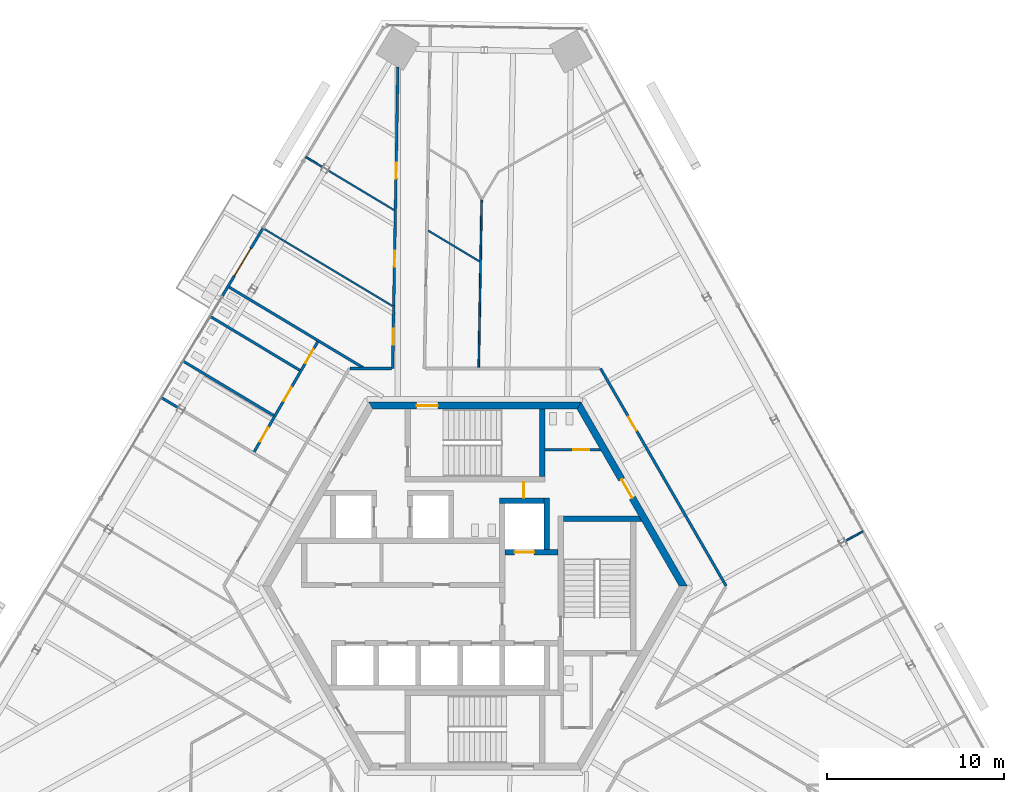
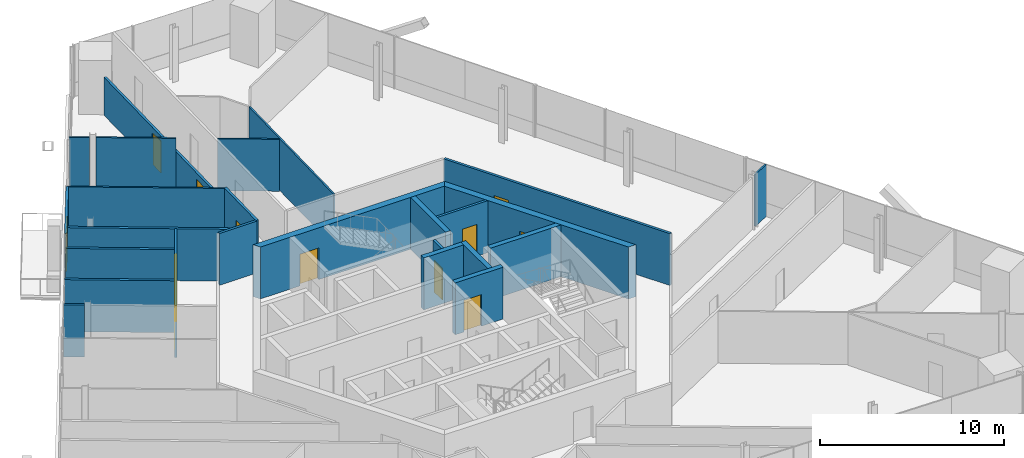
# One storey, part 14 of 19: 25 walls, 13 doors, 13 openings.
"""IFC4 building model written with IfcOpenShell, lengths in metres."""

from ifc_helpers import new_model, si_unit, direction, frame, frame_2d, origin, place, context, subcontext, project, spatial, polyline, rectangle, outline, extrude, source, transform, mapped, material, layer, layer_set, type_object, element, fill, save


model = new_model("IFC4")

# Units and contexts
model_context = context("Model", 3, precision=1e-05, world=origin(), true_north=direction((0.0, 1.0)))
body_context = subcontext(model_context, "Body", "Model", "MODEL_VIEW")
ifc_project = project(units=[si_unit("LENGTHUNIT", "METRE"), si_unit("AREAUNIT", "SQUARE_METRE"), si_unit("VOLUMEUNIT", "CUBIC_METRE"), si_unit("PLANEANGLEUNIT", "RADIAN"), si_unit("MASSUNIT", "GRAM", prefix="KILO")], contexts=[model_context])

# Site, building, storey
site_placement = place(None, origin())
site = spatial("IfcSite", under=ifc_project, at=site_placement, CompositionType="ELEMENT")
building_placement = place(site_placement, origin())
building = spatial("IfcBuilding", under=site, at=building_placement, Name="Triune Harvest Tower", CompositionType="ELEMENT")
storey_placement = place(building_placement, frame((0.0, 0.0, 183.5)))
storey = spatial("IfcBuildingStorey", under=building, at=storey_placement, Name="L47", CompositionType="ELEMENT", Elevation=183.5)

# Walls
ifc_material_1 = material(Name="Gypsum board on steel studs", Category="steel")
ifc_layer_1 = layer(ifc_material_1, 0.14990234375)
ifc_layer_set_1 = layer_set([ifc_layer_1], Name="Gypsum board on steel studs")
wall_type_1 = type_object("IfcWallType", Name="Fire Partition 150 mm", PredefinedType="PARTITIONING", material=ifc_layer_set_1)
wall_1_placement = place(storey_placement, frame((-14.966796875, 15.23779296875, 0.0), z_axis=(0.0, 0.0, 1.0), x_axis=(0.857169400404, -0.515034580403, 0.0)))
element("IfcWall", 1, at=wall_1_placement, inside=storey, type_object=wall_type_1, Name="Partition L47 020", PredefinedType="PARTITIONING", context=body_context, shape_type="SweptSolid", body=[
    extrude(rectangle(XDim=5.92919921875, YDim=0.14990234375, at=frame_2d((2.964599609375, 0.0))), origin(), (0.0, 0.0, 1.0), 3.43994140625),
])
wall_2_placement = place(storey_placement, frame((-13.952880859375, 16.925048828125, 0.0), z_axis=(0.0, 0.0, 1.0), x_axis=(0.857157454976, -0.515054460596, 0.0)))
element("IfcWall", 2, at=wall_2_placement, inside=storey, type_object=wall_type_1, Name="Partition L47 021", PredefinedType="PARTITIONING", context=body_context, shape_type="SweptSolid", body=[
    extrude(rectangle(XDim=8.994873046875, YDim=0.14990234375, at=frame_2d((4.49755859375, 0.0))), origin(), (0.0, 0.0, 1.0), 3.43994140625),
])
wall_3_placement = place(storey_placement, frame((-7.047119140625, 12.292236328125, 0.0), z_axis=(0.0, 0.0, 1.0), x_axis=(1.0, 0.0, 0.0)))
element("IfcWall", 3, at=wall_3_placement, inside=storey, type_object=wall_type_1, Name="Partition L47 030", PredefinedType="PARTITIONING", context=body_context, shape_type="SweptSolid", body=[
    extrude(rectangle(XDim=2.33740234375, YDim=0.14990234375, at=frame_2d((1.168701171875, 0.0))), origin(), (0.0, 0.0, 1.0), 3.43994140625),
])

# Wall, openings, doors
wall_4_placement = place(storey_placement, frame((-12.510009765625, 7.5166015625, 0.0), z_axis=(0.0, 0.0, 1.0), x_axis=(0.499996967223, 0.866027154752, 0.0)))
wall_4 = element("IfcWall", 4, at=wall_4_placement, inside=storey, type_object=wall_type_1, Name="Partition L47 048", PredefinedType="PARTITIONING", context=body_context, shape_type="SweptSolid", body=[
    extrude(rectangle(XDim=7.26220703125, YDim=0.14990234375, at=frame_2d((3.631103515625, 0.0))), origin(), (0.0, 0.0, 1.0), 3.43994140625),
])
opening_1_placement = place(wall_4_placement, frame((5.87255859375, 0.0, 0.0)))
opening_1 = element("IfcOpeningElement", 5, at=opening_1_placement, cuts=wall_4, Name="Opening L47-011", PredefinedType="OPENING", context=body_context, shape_type="SweptSolid", body=[
    extrude(rectangle(XDim=0.89990234375, YDim=2.10009765625, at=frame_2d((0.449951171875, 1.050048828125))), frame((0.0, 0.0849609375, 0.0), z_axis=(0.0, -1.0, 0.0), x_axis=(1.0, 0.0, 0.0)), (0.0, 0.0, 1.0), 0.169921875),
])
opening_2_placement = place(wall_4_placement, frame((3.40380859375, 0.0, 0.0)))
opening_2 = element("IfcOpeningElement", 6, at=opening_2_placement, cuts=wall_4, Name="Opening L47-012", PredefinedType="OPENING", context=body_context, shape_type="SweptSolid", body=[
    extrude(rectangle(XDim=0.89990234375, YDim=2.10009765625, at=frame_2d((0.449951171875, 1.050048828125))), frame((0.0, 0.0849609375, 0.0), z_axis=(0.0, -1.0, 0.0), x_axis=(1.0, 0.0, 0.0)), (0.0, 0.0, 1.0), 0.169921875),
])
opening_3_placement = place(wall_4_placement, frame((0.75048828125, 0.0, 0.0)))
opening_3 = element("IfcOpeningElement", 7, at=opening_3_placement, cuts=wall_4, Name="Opening L47-013", PredefinedType="OPENING", context=body_context, shape_type="SweptSolid", body=[
    extrude(rectangle(XDim=0.89990234375, YDim=2.10009765625, at=frame_2d((0.449951171875, 1.050048828125))), frame((0.0, 0.0849609375, 0.0), z_axis=(0.0, -1.0, 0.0), x_axis=(1.0, 0.0, 0.0)), (0.0, 0.0, 1.0), 0.169921875),
])
ifc_material_2 = material(Name="Timber and steel door set", Category="steel")
door_type_1 = type_object("IfcDoorType", Name="Single leaf door FD30 left hand 900 x 2100", OperationType="SINGLE_SWING_LEFT", PredefinedType="DOOR", material=ifc_material_2)
door_1_placement = place(opening_3_placement, origin())
door_1 = element("IfcDoor", 8, at=door_1_placement, inside=storey, type_object=door_type_1, Name="Door L47-013 Accessible WC 47.13", OperationType="SINGLE_SWING_LEFT", OverallHeight=2.10009765625, OverallWidth=0.89990234375, PredefinedType="DOOR", context=body_context, shape_type="SweptSolid", body=[
    extrude(rectangle(XDim=0.89990234375, YDim=2.10009765625, at=frame_2d((0.449951171875, 1.050048828125))), frame((0.0, 0.02490234375, 0.0), z_axis=(0.0, -1.0, 0.0), x_axis=(1.0, 0.0, 0.0)), (0.0, 0.0, 1.0), 0.050048828125),
])
fill(opening_3, door_1)
ifc_material_3 = material(Name="Timber and steel door set", Category="steel")
door_type_2 = type_object("IfcDoorType", Name="Single leaf door FD30 right hand 900 x 2100", OperationType="SINGLE_SWING_RIGHT", PredefinedType="DOOR", material=ifc_material_3)
door_2_placement = place(opening_1_placement, origin())
door_2 = element("IfcDoor", 9, at=door_2_placement, inside=storey, type_object=door_type_2, Name="Door L47-011 Women's WC 47.11", OperationType="SINGLE_SWING_RIGHT", OverallHeight=2.10009765625, OverallWidth=0.89990234375, PredefinedType="DOOR", context=body_context, shape_type="SweptSolid", body=[
    extrude(rectangle(XDim=0.89990234375, YDim=2.10009765625, at=frame_2d((0.449951171875, 1.050048828125))), frame((0.0, 0.02490234375, 0.0), z_axis=(0.0, -1.0, 0.0), x_axis=(1.0, 0.0, 0.0)), (0.0, 0.0, 1.0), 0.050048828125),
])
fill(opening_1, door_2)
door_3_placement = place(opening_2_placement, origin())
door_3 = element("IfcDoor", 10, at=door_3_placement, inside=storey, type_object=door_type_2, Name="Door L47-012 Men's WC 47.12", OperationType="SINGLE_SWING_RIGHT", OverallHeight=2.10009765625, OverallWidth=0.89990234375, PredefinedType="DOOR", context=body_context, shape_type="SweptSolid", body=[
    extrude(rectangle(XDim=0.89990234375, YDim=2.10009765625, at=frame_2d((0.449951171875, 1.050048828125))), frame((0.0, 0.02490234375, 0.0), z_axis=(0.0, -1.0, 0.0), x_axis=(1.0, 0.0, 0.0)), (0.0, 0.0, 1.0), 0.050048828125),
])
fill(opening_2, door_3)

# Wall
ifc_material_4 = material(Name="Gypsum board on steel studs", Category="steel")
ifc_layer_2 = layer(ifc_material_4, 0.10009765625)
ifc_layer_set_2 = layer_set([ifc_layer_2], Name="Gypsum board on steel studs")
wall_type_2 = type_object("IfcWallType", Name="Partition 100 mm", PredefinedType="PARTITIONING", material=ifc_layer_set_2)
wall_5_placement = place(storey_placement, frame((-11.975341796875, 20.216552734375, 0.0), z_axis=(0.0, 0.0, 1.0), x_axis=(0.857169399797, -0.515034581414, 0.0)))
element("IfcWall", 11, at=wall_5_placement, inside=storey, type_object=wall_type_2, Name="Partition L47 022", PredefinedType="PARTITIONING", context=body_context, shape_type="SweptSolid", body=[
    extrude(rectangle(XDim=8.52734375, YDim=0.10009765625, at=frame_2d((4.263671875, 0.0))), origin(), (0.0, 0.0, 1.0), 3.43994140625),
])

# Wall, opening, door
ifc_material_5 = material(Name="Concrete 70 MPa", Category="concrete")
ifc_layer_3 = layer(ifc_material_5, 0.39990234375)
ifc_layer_set_3 = layer_set([ifc_layer_3], Name="Concrete 70 MPa")
wall_type_3 = type_object("IfcWallType", Name="Core wall 400", PredefinedType="SHEAR", material=ifc_layer_set_3)
shared_shape_1 = source(origin(), body_context, "Body", "SweptSolid", [
    extrude(outline(polyline([(-0.115478515625, -0.199951171875), (11.884521484375, -0.199951171875), (11.653564453125, 0.199951171875), (0.115478515625, 0.199951171875), (-0.115478515625, -0.199951171875)])), origin(), (0.0, 0.0, 1.0), 3.43994140625),
])
wall_6_placement = place(storey_placement, frame((11.76904296875, 0.0, 0.0), z_axis=(0.0, 0.0, 1.0), x_axis=(-0.499996592174, 0.866027371285, 0.0)))
wall_6 = element("IfcWall", 12, at=wall_6_placement, inside=storey, type_object=wall_type_3, Name="Hexagon 0 wall", PredefinedType="SHEAR", context=body_context, shape_type="MappedRepresentation", body=[
    mapped(shared_shape_1, transform((0.0, 0.0, 0.0), scale=1.0)),
])
opening_4_placement = place(wall_6_placement, frame((5.75048828125, 0.0, 0.0)))
opening_4 = element("IfcOpeningElement", 13, at=opening_4_placement, cuts=wall_6, Name="Opening CD-WCP", PredefinedType="OPENING", context=body_context, shape_type="SweptSolid", body=[
    extrude(rectangle(XDim=1.199951171875, YDim=2.10009765625, at=frame_2d((0.60009765625, 1.050048828125))), frame((0.0, 0.2099609375, 0.0), z_axis=(0.0, -1.0, 0.0), x_axis=(1.0, 0.0, 0.0)), (0.0, 0.0, 1.0), 0.419921875),
])
ifc_material_6 = material(Name="Steel S235", Category="steel")
door_type_3 = type_object("IfcDoorType", Name="Lobby door 1200 FD120", OperationType="SINGLE_SWING_LEFT", PredefinedType="DOOR", material=ifc_material_6)
door_4_placement = place(opening_4_placement, frame((1.199951171875, 0.0, 0.0), z_axis=(0.0, 0.0, 1.0), x_axis=(-1.0, 0.0, 0.0)))
door_4 = element("IfcDoor", 14, at=door_4_placement, inside=storey, type_object=door_type_3, Name="Door CD-WCP", OperationType="SINGLE_SWING_RIGHT", OverallHeight=2.10009765625, OverallWidth=1.199951171875, PredefinedType="DOOR", context=body_context, shape_type="SweptSolid", body=[
    extrude(rectangle(XDim=1.199951171875, YDim=2.10009765625, at=frame_2d((0.60009765625, 1.050048828125))), frame((0.0, 0.02490234375, 0.0), z_axis=(0.0, -1.0, 0.0), x_axis=(1.0, 0.0, 0.0)), (0.0, 0.0, 1.0), 0.050048828125),
])
fill(opening_4, door_4)

wall_7_placement = place(storey_placement, frame((5.884521484375, 10.1923828125, 0.0), z_axis=(0.0, 0.0, 1.0), x_axis=(-1.0, 0.0, 0.0)))
wall_7 = element("IfcWall", 15, at=wall_7_placement, inside=storey, type_object=wall_type_3, Name="Hexagon 1 wall", PredefinedType="SHEAR", context=body_context, shape_type="MappedRepresentation", body=[
    mapped(shared_shape_1, transform((0.0, 0.0, 0.0), scale=1.0)),
])
opening_5_placement = place(wall_7_placement, frame((7.984619140625, 0.0, 0.0)))
opening_5 = element("IfcOpeningElement", 16, at=opening_5_placement, cuts=wall_7, Name="Opening CD-S1P", PredefinedType="OPENING", context=body_context, shape_type="SweptSolid", body=[
    extrude(rectangle(XDim=1.199951171875, YDim=2.10009765625, at=frame_2d((0.60009765625, 1.050048828125))), frame((0.0, 0.2099609375, 0.0), z_axis=(0.0, -1.0, 0.0), x_axis=(1.0, 0.0, 0.0)), (0.0, 0.0, 1.0), 0.419921875),
])
ifc_material_7 = material(Name="Steel S235", Category="steel")
door_type_4 = type_object("IfcDoorType", Name="Stair door 1200 FD120", OperationType="SINGLE_SWING_LEFT", PredefinedType="DOOR", material=ifc_material_7)
door_5_placement = place(opening_5_placement, frame((1.199951171875, 0.0, 0.0), z_axis=(0.0, 0.0, 1.0), x_axis=(-1.0, 0.0, 0.0)))
door_5 = element("IfcDoor", 17, at=door_5_placement, inside=storey, type_object=door_type_4, Name="Door CD-S1P", OperationType="SINGLE_SWING_RIGHT", OverallHeight=2.10009765625, OverallWidth=1.199951171875, PredefinedType="DOOR", context=body_context, shape_type="SweptSolid", body=[
    extrude(rectangle(XDim=1.199951171875, YDim=2.10009765625, at=frame_2d((0.60009765625, 1.050048828125))), frame((0.0, 0.02490234375, 0.0), z_axis=(0.0, -1.0, 0.0), x_axis=(1.0, 0.0, 0.0)), (0.0, 0.0, 1.0), 0.050048828125),
])
fill(opening_5, door_5)

# Wall
ifc_material_8 = material(Name="Concrete 70 MPa", Category="concrete")
ifc_layer_4 = layer(ifc_material_8, 0.300048828125)
ifc_layer_set_4 = layer_set([ifc_layer_4], Name="Concrete 70 MPa")
wall_type_4 = type_object("IfcWallType", Name="Core wall 300", PredefinedType="SHEAR", material=ifc_layer_set_4)
shared_shape_2 = source(origin(), body_context, "Body", "SweptSolid", [
    extrude(rectangle(XDim=2.5, YDim=0.300048828125, at=frame_2d((1.25, 0.0))), origin(), (0.0, 0.0, 1.0), 3.43994140625),
])
wall_8_placement = place(storey_placement, frame((1.39990234375, 4.81005859375, 0.0), z_axis=(0.0, 0.0, 1.0), x_axis=(1.0, 0.0, 0.0)))
element("IfcWall", 18, at=wall_8_placement, inside=storey, type_object=wall_type_4, Name="Ff1 back wall", PredefinedType="SHEAR", context=body_context, shape_type="MappedRepresentation", body=[
    mapped(shared_shape_2, transform((0.0, 0.0, 0.0), scale=1.0)),
])

# Wall, opening, door
shared_shape_3 = source(origin(), body_context, "Body", "SweptSolid", [
    extrude(rectangle(XDim=3.0, YDim=0.300048828125, at=frame_2d((1.5, 0.0))), origin(), (0.0, 0.0, 1.0), 3.43994140625),
])
wall_9_placement = place(storey_placement, frame((1.699951171875, 1.909912109375, 0.0), z_axis=(0.0, 0.0, 1.0), x_axis=(1.0, 0.0, 0.0)))
wall_9 = element("IfcWall", 19, at=wall_9_placement, inside=storey, type_object=wall_type_4, Name="Ff1 front wall", PredefinedType="SHEAR", context=body_context, shape_type="MappedRepresentation", body=[
    mapped(shared_shape_3, transform((0.0, 0.0, 0.0), scale=1.0)),
])
opening_6_placement = place(wall_9_placement, frame((0.550048828125, 0.0, 0.0)))
opening_6 = element("IfcOpeningElement", 20, at=opening_6_placement, cuts=wall_9, Name="Opening LD-FF1-47", PredefinedType="OPENING", context=body_context, shape_type="SweptSolid", body=[
    extrude(rectangle(XDim=1.10009765625, YDim=2.10009765625, at=frame_2d((0.550048828125, 1.050048828125))), frame((0.0, 0.16015625, 0.0), z_axis=(0.0, -1.0, 0.0), x_axis=(1.0, 0.0, 0.0)), (0.0, 0.0, 1.0), 0.320068359375),
])
ifc_material_9 = material(Name="Stainless steel AISI 304", Category="steel")
door_type_5 = type_object("IfcDoorType", Name="Landing door 1100 x 2100", OperationType="DOUBLE_DOOR_SLIDING", PredefinedType="DOOR", material=ifc_material_9)
door_6_placement = place(opening_6_placement, origin())
door_6 = element("IfcDoor", 21, at=door_6_placement, inside=storey, type_object=door_type_5, Name="Door LD-FF1-47", OperationType="DOUBLE_DOOR_SLIDING", OverallHeight=2.10009765625, OverallWidth=1.10009765625, PredefinedType="DOOR", context=body_context, shape_type="SweptSolid", body=[
    extrude(rectangle(XDim=1.10009765625, YDim=2.10009765625, at=frame_2d((0.550048828125, 1.050048828125))), frame((0.0, 0.02490234375, 0.0), z_axis=(0.0, -1.0, 0.0), x_axis=(1.0, 0.0, 0.0)), (0.0, 0.0, 1.0), 0.050048828125),
])
fill(opening_6, door_6)

# Walls
shared_shape_4 = source(origin(), body_context, "Body", "SweptSolid", [
    extrude(rectangle(XDim=2.89990234375, YDim=0.300048828125, at=frame_2d((1.449951171875, 0.0))), origin(), (0.0, 0.0, 1.0), 3.43994140625),
])
wall_10_placement = place(storey_placement, frame((4.050048828125, 2.06005859375, 0.0), z_axis=(0.0, 0.0, 1.0), x_axis=(0.0, 1.0, 0.0)))
element("IfcWall", 22, at=wall_10_placement, inside=storey, type_object=wall_type_4, Name="Ff1 east wall", PredefinedType="SHEAR", context=body_context, shape_type="MappedRepresentation", body=[
    mapped(shared_shape_4, transform((0.0, 0.0, 0.0), scale=1.0)),
])
shared_shape_5 = source(origin(), body_context, "Body", "SweptSolid", [
    extrude(outline(polyline([(0.0, -0.14990234375), (0.0, 0.14990234375), (4.260009765625, 0.14990234375), (4.43310546875, -0.14990234375), (0.0, -0.14990234375)])), origin(), (0.0, 0.0, 1.0), 3.43994140625),
])
wall_11_placement = place(storey_placement, frame((5.0, 3.800048828125, 0.0), z_axis=(0.0, 0.0, 1.0), x_axis=(1.0, 0.0, 0.0)))
element("IfcWall", 23, at=wall_11_placement, inside=storey, type_object=wall_type_4, Name="Stair e north wall", PredefinedType="SHEAR", context=body_context, shape_type="MappedRepresentation", body=[
    mapped(shared_shape_5, transform((0.0, 0.0, 0.0), scale=1.0)),
])
shared_shape_6 = source(origin(), body_context, "Body", "SweptSolid", [
    extrude(outline(polyline([(0.0, -0.14990234375), (0.0, 0.14990234375), (3.80419921875, 0.14990234375), (3.80419921875, -0.14990234375), (0.0, -0.14990234375)])), origin(), (0.0, 0.0, 1.0), 3.43994140625),
])
wall_12_placement = place(storey_placement, frame((3.800048828125, 6.18994140625, 0.0), z_axis=(0.0, 0.0, 1.0), x_axis=(0.0, 1.0, 0.0)))
element("IfcWall", 24, at=wall_12_placement, inside=storey, type_object=wall_type_4, Name="Stair n east wall", PredefinedType="SHEAR", context=body_context, shape_type="MappedRepresentation", body=[
    mapped(shared_shape_6, transform((0.0, 0.0, 0.0), scale=1.0)),
])

# Wall, opening, door
ifc_material_10 = material(Name="Concrete masonry unit", Category="masonry")
ifc_layer_5 = layer(ifc_material_10, 0.14990234375)
ifc_layer_set_5 = layer_set([ifc_layer_5], Name="Concrete masonry unit")
wall_type_5 = type_object("IfcWallType", Name="Block partition 150 unrated", PredefinedType="PARTITIONING", material=ifc_layer_set_5)
shared_shape_7 = source(origin(), body_context, "Body", "SweptSolid", [
    extrude(outline(polyline([(0.0, -0.074951171875), (0.0, 0.074951171875), (3.1015625, 0.074951171875), (3.18798828125, -0.074951171875), (0.0, -0.074951171875)])), origin(), (0.0, 0.0, 1.0), 3.43994140625),
])
wall_13_placement = place(storey_placement, frame((3.949951171875, 7.699951171875, 0.0), z_axis=(0.0, 0.0, 1.0), x_axis=(1.0, 0.0, 0.0)))
wall_13 = element("IfcWall", 25, at=wall_13_placement, inside=storey, type_object=wall_type_5, Name="Wc women south wall", PredefinedType="PARTITIONING", context=body_context, shape_type="MappedRepresentation", body=[
    mapped(shared_shape_7, transform((0.0, 0.0, 0.0), scale=1.0)),
])
opening_7_placement = place(wall_13_placement, frame((1.60009765625, 0.0, 0.0)))
opening_7 = element("IfcOpeningElement", 26, at=opening_7_placement, cuts=wall_13, Name="Opening CD-WW", PredefinedType="OPENING", context=body_context, shape_type="SweptSolid", body=[
    extrude(rectangle(XDim=0.89990234375, YDim=2.10009765625, at=frame_2d((0.449951171875, 1.050048828125))), frame((0.0, 0.0849609375, 0.0), z_axis=(0.0, -1.0, 0.0), x_axis=(1.0, 0.0, 0.0)), (0.0, 0.0, 1.0), 0.169921875),
])
ifc_material_11 = material(Name="Timber C24", Category="wood")
door_type_6 = type_object("IfcDoorType", Name="WC door 900", OperationType="SINGLE_SWING_LEFT", PredefinedType="DOOR", material=ifc_material_11)
door_7_placement = place(opening_7_placement, origin())
door_7 = element("IfcDoor", 27, at=door_7_placement, inside=storey, type_object=door_type_6, Name="Door CD-WW", OperationType="SINGLE_SWING_LEFT", OverallHeight=2.10009765625, OverallWidth=0.89990234375, PredefinedType="DOOR", context=body_context, shape_type="SweptSolid", body=[
    extrude(rectangle(XDim=0.89990234375, YDim=2.10009765625, at=frame_2d((0.449951171875, 1.050048828125))), frame((0.0, 0.02490234375, 0.0), z_axis=(0.0, -1.0, 0.0), x_axis=(1.0, 0.0, 0.0)), (0.0, 0.0, 1.0), 0.050048828125),
])
fill(opening_7, door_7)

shared_shape_8 = source(origin(), body_context, "Body", "SweptSolid", [
    extrude(rectangle(XDim=0.929931640625, YDim=0.14990234375, at=frame_2d((0.46484375, 0.0))), origin(), (0.0, 0.0, 1.0), 3.43994140625),
])
wall_14_placement = place(storey_placement, frame((2.75, 4.9599609375, 0.0), z_axis=(0.0, 0.0, 1.0), x_axis=(0.0, 1.0, 0.0)))
wall_14 = element("IfcWall", 28, at=wall_14_placement, inside=storey, type_object=wall_type_5, Name="Wc men east b wall", PredefinedType="PARTITIONING", context=body_context, shape_type="MappedRepresentation", body=[
    mapped(shared_shape_8, transform((0.0, 0.0, 0.0), scale=1.0)),
])
opening_8_placement = place(wall_14_placement, frame((0.014892578125, 0.0, 0.0)))
opening_8 = element("IfcOpeningElement", 29, at=opening_8_placement, cuts=wall_14, Name="Opening CD-WM", PredefinedType="OPENING", context=body_context, shape_type="SweptSolid", body=[
    extrude(rectangle(XDim=0.89990234375, YDim=2.10009765625, at=frame_2d((0.449951171875, 1.050048828125))), frame((0.0, 0.0849609375, 0.0), z_axis=(0.0, -1.0, 0.0), x_axis=(1.0, 0.0, 0.0)), (0.0, 0.0, 1.0), 0.169921875),
])
door_8_placement = place(opening_8_placement, origin())
door_8 = element("IfcDoor", 30, at=door_8_placement, inside=storey, type_object=door_type_6, Name="Door CD-WM", OperationType="SINGLE_SWING_LEFT", OverallHeight=2.10009765625, OverallWidth=0.89990234375, PredefinedType="DOOR", context=body_context, shape_type="SweptSolid", body=[
    extrude(rectangle(XDim=0.89990234375, YDim=2.10009765625, at=frame_2d((0.449951171875, 1.050048828125))), frame((0.0, 0.02490234375, 0.0), z_axis=(0.0, -1.0, 0.0), x_axis=(1.0, 0.0, 0.0)), (0.0, 0.0, 1.0), 0.050048828125),
])
fill(opening_8, door_8)

ifc_material_12 = material(Name="Aluminium bronze anodised", Category="aluminium")
ifc_layer_6 = layer(ifc_material_12, 0.14990234375)
ifc_layer_set_6 = layer_set([ifc_layer_6], Name="Aluminium bronze anodised")
wall_type_6 = type_object("IfcWallType", Name="WW-2 balcony window wall", PredefinedType="ELEMENTEDWALL", material=ifc_layer_set_6)
shared_shape_9 = source(origin(), body_context, "Body", "SweptSolid", [
    extrude(rectangle(XDim=4.460693359375, YDim=0.14990234375, at=frame_2d((2.23046875, 0.0))), origin(), (0.0, 0.0, 1.0), 3.43994140625),
])
wall_15_placement = place(storey_placement, frame((-14.277587890625, 16.384765625, 0.0), z_axis=(0.0, 0.0, 1.0), x_axis=(0.515034931991, 0.857169189151, 0.0)))
wall_15 = element("IfcWall", 31, at=wall_15_placement, inside=storey, type_object=wall_type_6, Name="WW-2 B5-F3 L47.4", PredefinedType="ELEMENTEDWALL", context=body_context, shape_type="MappedRepresentation", body=[
    mapped(shared_shape_9, transform((0.0, 0.0, 0.0), scale=1.0)),
])
opening_9_placement = place(wall_15_placement, frame((1.330322265625, 0.0, 0.0)))
opening_9 = element("IfcOpeningElement", 32, at=opening_9_placement, cuts=wall_15, Name="Opening L47-E01", PredefinedType="OPENING", context=body_context, shape_type="SweptSolid", body=[
    extrude(rectangle(XDim=1.800048828125, YDim=2.39990234375, at=frame_2d((0.89990234375, 1.199951171875))), frame((0.0, 0.0849609375, 0.0), z_axis=(0.0, -1.0, 0.0), x_axis=(1.0, 0.0, 0.0)), (0.0, 0.0, 1.0), 0.169921875),
])
ifc_material_13 = material(Name="Glass", Category="glass")
door_type_7 = type_object("IfcDoorType", Name="DB-1 balcony door 1800 x 2400", OperationType="DOUBLE_DOOR_SINGLE_SWING", PredefinedType="DOOR", material=ifc_material_13)
door_9_placement = place(opening_9_placement, origin())
door_9 = element("IfcDoor", 33, at=door_9_placement, inside=storey, type_object=door_type_7, Name="Door L47-E01", OperationType="DOUBLE_DOOR_SINGLE_SWING", OverallHeight=2.39990234375, OverallWidth=1.800048828125, PredefinedType="DOOR", context=body_context, shape_type="SweptSolid", body=[
    extrude(rectangle(XDim=1.800048828125, YDim=2.39990234375, at=frame_2d((0.89990234375, 1.199951171875))), frame((0.0, 0.02490234375, 0.0), z_axis=(0.0, -1.0, 0.0), x_axis=(1.0, 0.0, 0.0)), (0.0, 0.0, 1.0), 0.050048828125),
])
fill(opening_9, door_9)

shared_shape_10 = source(origin(), body_context, "Body", "SweptSolid", [
    extrude(rectangle(XDim=14.19384765625, YDim=0.14990234375, at=frame_2d((7.096923828125, 0.0))), origin(), (0.0, 0.0, 1.0), 3.43994140625),
])
wall_16_placement = place(storey_placement, frame((7.096923828125, 12.292236328125, 0.0), z_axis=(0.0, 0.0, 1.0), x_axis=(0.499999887723, -0.866025468608, 0.0)))
wall_16 = element("IfcWall", 34, at=wall_16_placement, inside=storey, type_object=wall_type_1, Name="Partition L47 006", PredefinedType="PARTITIONING", context=body_context, shape_type="MappedRepresentation", body=[
    mapped(shared_shape_10, transform((0.0, 0.0, 0.0), scale=1.0)),
])
opening_10_placement = place(wall_16_placement, frame((3.16162109375, 0.0, 0.0)))
opening_10 = element("IfcOpeningElement", 35, at=opening_10_placement, cuts=wall_16, Name="Opening L47-003", PredefinedType="OPENING", context=body_context, shape_type="SweptSolid", body=[
    extrude(rectangle(XDim=0.89990234375, YDim=2.10009765625, at=frame_2d((0.449951171875, 1.050048828125))), frame((0.0, 0.0849609375, 0.0), z_axis=(0.0, -1.0, 0.0), x_axis=(1.0, 0.0, 0.0)), (0.0, 0.0, 1.0), 0.169921875),
])
door_10_placement = place(opening_10_placement, origin())
door_10 = element("IfcDoor", 36, at=door_10_placement, inside=storey, type_object=door_type_1, Name="Door L47-003 Open Office 47.03", OperationType="SINGLE_SWING_LEFT", OverallHeight=2.10009765625, OverallWidth=0.89990234375, PredefinedType="DOOR", context=body_context, shape_type="SweptSolid", body=[
    extrude(rectangle(XDim=0.89990234375, YDim=2.10009765625, at=frame_2d((0.449951171875, 1.050048828125))), frame((0.0, 0.02490234375, 0.0), z_axis=(0.0, -1.0, 0.0), x_axis=(1.0, 0.0, 0.0)), (0.0, 0.0, 1.0), 0.050048828125),
])
fill(opening_10, door_10)

# Wall, openings, doors
shared_shape_11 = source(origin(), body_context, "Body", "SweptSolid", [
    extrude(rectangle(XDim=13.470703125, YDim=0.14990234375, at=frame_2d((6.7353515625, 0.0))), origin(), (0.0, 0.0, 1.0), 2.51806640625),
])
wall_17_placement = place(storey_placement, frame((-4.587890625, 15.852783203125, 0.0), z_axis=(0.0, 0.0, 1.0), x_axis=(0.017453112648, 0.999847682829, 0.0)))
wall_17 = element("IfcWall", 37, at=wall_17_placement, inside=storey, type_object=wall_type_1, Name="Partition L47 056a", PredefinedType="PARTITIONING", context=body_context, shape_type="MappedRepresentation", body=[
    mapped(shared_shape_11, transform((0.0, 0.0, 0.0), scale=1.0)),
])
opening_11_placement = place(wall_17_placement, frame((7.17138671875, 0.0, 0.0)))
opening_11 = element("IfcOpeningElement", 38, at=opening_11_placement, cuts=wall_17, Name="Opening L47-005", PredefinedType="OPENING", context=body_context, shape_type="SweptSolid", body=[
    extrude(rectangle(XDim=0.89990234375, YDim=2.10009765625, at=frame_2d((0.449951171875, 1.050048828125))), frame((0.0, 0.0849609375, 0.0), z_axis=(0.0, -1.0, 0.0), x_axis=(1.0, 0.0, 0.0)), (0.0, 0.0, 1.0), 0.169921875),
])
opening_12_placement = place(wall_17_placement, frame((2.194580078125, 0.0, 0.0)))
opening_12 = element("IfcOpeningElement", 39, at=opening_12_placement, cuts=wall_17, Name="Opening L47-008", PredefinedType="OPENING", context=body_context, shape_type="SweptSolid", body=[
    extrude(rectangle(XDim=0.89990234375, YDim=2.10009765625, at=frame_2d((0.449951171875, 1.050048828125))), frame((0.0, 0.0849609375, 0.0), z_axis=(0.0, -1.0, 0.0), x_axis=(1.0, 0.0, 0.0)), (0.0, 0.0, 1.0), 0.169921875),
])
door_11_placement = place(opening_12_placement, origin())
door_11 = element("IfcDoor", 40, at=door_11_placement, inside=storey, type_object=door_type_1, Name="Door L47-008 Office 47.08", OperationType="SINGLE_SWING_LEFT", OverallHeight=2.10009765625, OverallWidth=0.89990234375, PredefinedType="DOOR", context=body_context, shape_type="SweptSolid", body=[
    extrude(rectangle(XDim=0.89990234375, YDim=2.10009765625, at=frame_2d((0.449951171875, 1.050048828125))), frame((0.0, 0.02490234375, 0.0), z_axis=(0.0, -1.0, 0.0), x_axis=(1.0, 0.0, 0.0)), (0.0, 0.0, 1.0), 0.050048828125),
])
fill(opening_12, door_11)
door_12_placement = place(opening_11_placement, origin())
door_12 = element("IfcDoor", 41, at=door_12_placement, inside=storey, type_object=door_type_2, Name="Door L47-005 Office 47.05", OperationType="SINGLE_SWING_RIGHT", OverallHeight=2.10009765625, OverallWidth=0.89990234375, PredefinedType="DOOR", context=body_context, shape_type="SweptSolid", body=[
    extrude(rectangle(XDim=0.89990234375, YDim=2.10009765625, at=frame_2d((0.449951171875, 1.050048828125))), frame((0.0, 0.02490234375, 0.0), z_axis=(0.0, -1.0, 0.0), x_axis=(1.0, 0.0, 0.0)), (0.0, 0.0, 1.0), 0.050048828125),
])
fill(opening_11, door_12)

# Walls
shared_shape_12 = source(origin(), body_context, "Body", "SweptSolid", [
    extrude(rectangle(XDim=1.13037109375, YDim=0.14990234375, at=frame_2d((0.565185546875, 0.0))), origin(), (0.0, 0.0, 1.0), 3.43994140625),
])
wall_18_placement = place(storey_placement, frame((-17.7236328125, 10.649658203125, 0.0), z_axis=(0.0, 0.0, 1.0), x_axis=(0.857149738065, -0.515067302919, 0.0)))
element("IfcWall", 42, at=wall_18_placement, inside=storey, type_object=wall_type_1, Name="Partition L47 015", PredefinedType="PARTITIONING", context=body_context, shape_type="MappedRepresentation", body=[
    mapped(shared_shape_12, transform((0.0, 0.0, 0.0), scale=1.0)),
])
shared_shape_13 = source(origin(), body_context, "Body", "SweptSolid", [
    extrude(rectangle(XDim=5.980712890625, YDim=0.14990234375, at=frame_2d((2.990234375, 0.0))), origin(), (0.0, 0.0, 1.0), 3.43994140625),
])
wall_19_placement = place(storey_placement, frame((-16.487548828125, 12.706787109375, 0.0), z_axis=(0.0, 0.0, 1.0), x_axis=(0.857164980933, -0.515041935634, 0.0)))
element("IfcWall", 43, at=wall_19_placement, inside=storey, type_object=wall_type_1, Name="Partition L47 019", PredefinedType="PARTITIONING", context=body_context, shape_type="MappedRepresentation", body=[
    mapped(shared_shape_13, transform((0.0, 0.0, 0.0), scale=1.0)),
])
shared_shape_14 = source(origin(), body_context, "Body", "SweptSolid", [
    extrude(rectangle(XDim=1.130615234375, YDim=0.10009765625, at=frame_2d((0.5654296875, 0.0))), origin(), (0.0, 0.0, 1.0), 3.43994140625),
])
for number, where, z_axis, x_axis, name in (
    (44, (-9.55810546875, 24.239501953125, 0.0), (0.0, 0.0, 1.0), (0.85705438935, -0.515225944316, 0.0), "Partition L47 023"),
    (45, (20.93896484375, 2.54296875, 0.0), (0.0, 0.0, 1.0), (0.874615280468, 0.484817606087, 0.0), "Partition L47 041"),
):
    element("IfcWall", number, at=place(storey_placement, frame(where, z_axis=z_axis, x_axis=x_axis)), inside=storey, type_object=wall_type_2, Name=name, PredefinedType="PARTITIONING", context=body_context, shape_type="MappedRepresentation", body=[
        mapped(shared_shape_14, transform((0.0, 0.0, 0.0), scale=1.0)),
    ])
shared_shape_15 = source(origin(), body_context, "Body", "SweptSolid", [
    extrude(rectangle(XDim=4.34375, YDim=0.10009765625, at=frame_2d((2.171875, 0.0))), origin(), (0.0, 0.0, 1.0), 3.43994140625),
])
wall_20_placement = place(storey_placement, frame((-8.294921875, 23.480224609375, 0.0), z_axis=(0.0, 0.0, 1.0), x_axis=(0.857185297152, -0.515008122602, 0.0)))
element("IfcWall", 46, at=wall_20_placement, inside=storey, type_object=wall_type_2, Name="Partition L47 024", PredefinedType="PARTITIONING", context=body_context, shape_type="MappedRepresentation", body=[
    mapped(shared_shape_15, transform((0.0, 0.0, 0.0), scale=1.0)),
])
shared_shape_16 = source(origin(), body_context, "Body", "SweptSolid", [
    extrude(rectangle(XDim=3.377685546875, YDim=0.10009765625, at=frame_2d((1.68896484375, 0.0))), origin(), (0.0, 0.0, 1.0), 3.43994140625),
])
wall_21_placement = place(storey_placement, frame((-2.6357421875, 20.079833984375, 0.0), z_axis=(0.0, 0.0, 1.0), x_axis=(0.857186640387, -0.515005886901, 0.0)))
element("IfcWall", 47, at=wall_21_placement, inside=storey, type_object=wall_type_2, Name="Partition L47 025", PredefinedType="PARTITIONING", context=body_context, shape_type="MappedRepresentation", body=[
    mapped(shared_shape_16, transform((0.0, 0.0, 0.0), scale=1.0)),
])
shared_shape_17 = source(origin(), body_context, "Body", "SweptSolid", [
    extrude(rectangle(XDim=9.4619140625, YDim=0.10009765625, at=frame_2d((4.73095703125, 0.0))), origin(), (0.0, 0.0, 1.0), 3.43994140625),
])
wall_22_placement = place(storey_placement, frame((0.215576171875, 12.352294921875, 0.0), z_axis=(0.0, 0.0, 1.0), x_axis=(0.017442507321, 0.999847867897, 0.0)))
element("IfcWall", 48, at=wall_22_placement, inside=storey, type_object=wall_type_2, Name="Partition L47 051", PredefinedType="PARTITIONING", context=body_context, shape_type="MappedRepresentation", body=[
    mapped(shared_shape_17, transform((0.0, 0.0, 0.0), scale=1.0)),
])

# Wall, opening, door
shared_shape_18 = source(origin(), body_context, "Body", "SweptSolid", [
    extrude(rectangle(XDim=3.56103515625, YDim=0.14990234375, at=frame_2d((1.780517578125, 0.0))), origin(), (0.0, 0.0, 1.0), 3.43994140625),
])
wall_23_placement = place(storey_placement, frame((-4.64990234375, 12.292236328125, 0.0), z_axis=(0.0, 0.0, 1.0), x_axis=(0.017413705839, 0.999848369929, 0.0)))
wall_23 = element("IfcWall", 49, at=wall_23_placement, inside=storey, type_object=wall_type_1, Name="Partition L47 056", PredefinedType="PARTITIONING", context=body_context, shape_type="MappedRepresentation", body=[
    mapped(shared_shape_18, transform((0.0, 0.0, 0.0), scale=1.0)),
])
opening_13_placement = place(wall_23_placement, frame((1.33642578125, 0.0, 0.0)))
opening_13 = element("IfcOpeningElement", 50, at=opening_13_placement, cuts=wall_23, Name="Opening L47-007", PredefinedType="OPENING", context=body_context, shape_type="SweptSolid", body=[
    extrude(rectangle(XDim=0.89990234375, YDim=2.10009765625, at=frame_2d((0.449951171875, 1.050048828125))), frame((0.0, 0.0849609375, 0.0), z_axis=(0.0, -1.0, 0.0), x_axis=(1.0, 0.0, 0.0)), (0.0, 0.0, 1.0), 0.169921875),
])
door_13_placement = place(opening_13_placement, origin())
door_13 = element("IfcDoor", 51, at=door_13_placement, inside=storey, type_object=door_type_1, Name="Door L47-007 Office 47.07", OperationType="SINGLE_SWING_LEFT", OverallHeight=2.10009765625, OverallWidth=0.89990234375, PredefinedType="DOOR", context=body_context, shape_type="SweptSolid", body=[
    extrude(rectangle(XDim=0.89990234375, YDim=2.10009765625, at=frame_2d((0.449951171875, 1.050048828125))), frame((0.0, 0.02490234375, 0.0), z_axis=(0.0, -1.0, 0.0), x_axis=(1.0, 0.0, 0.0)), (0.0, 0.0, 1.0), 0.050048828125),
])
fill(opening_13, door_13)

save(model, "model.ifc")
